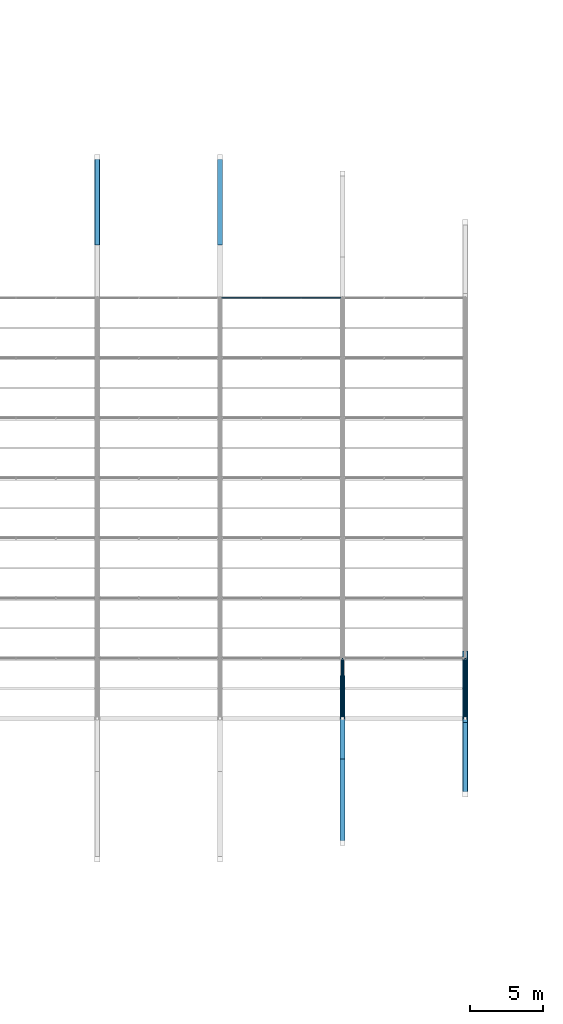
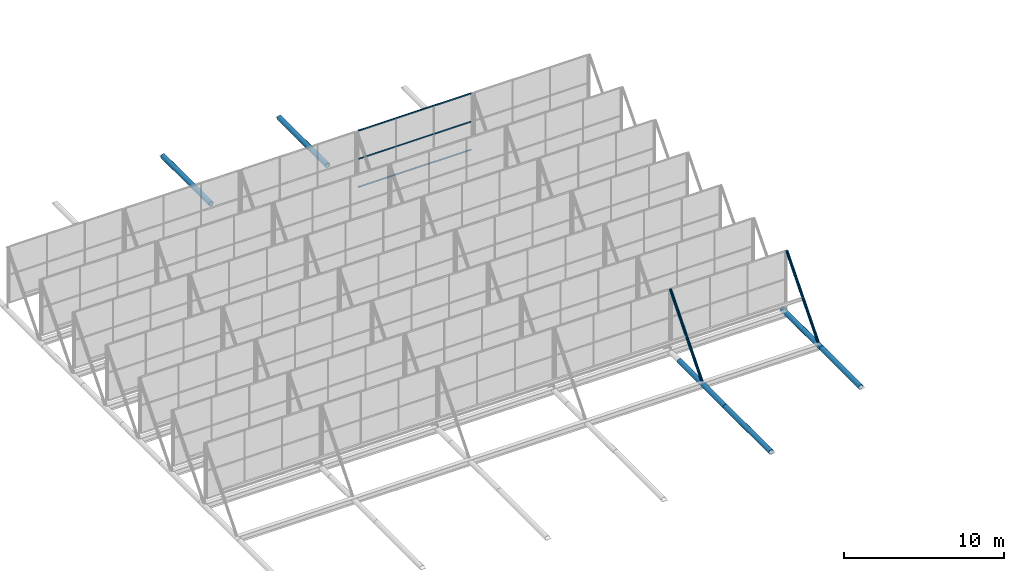
# One storey, part 40 of 77: 11 members, 1 element without a shape of its own.
"""IFC4 building model written with IfcOpenShell, lengths in metres."""

from ifc_helpers import new_model, si_unit, derived_unit, direction, frame, origin, origin_2d, place, context, subcontext, project, spatial, hollow_rectangle, hollow_circle, extrude, material, material_profile, profile_set, type_object, element, aggregate, save


model = new_model("IFC4")

# Units and contexts
model_context = context("Model", 3, precision=1e-05, world=origin(), true_north=direction((0.0, 1.0)))
body_context = subcontext(model_context, "Body", "Model", "MODEL_VIEW")
ifc_project = project(units=[si_unit("LENGTHUNIT", "METRE"), si_unit("AREAUNIT", "SQUARE_METRE"), si_unit("VOLUMEUNIT", "CUBIC_METRE"), si_unit("PLANEANGLEUNIT", "RADIAN"), si_unit("MASSUNIT", "GRAM", prefix="KILO"), derived_unit("THERMALTRANSMITTANCEUNIT", [(si_unit("MASSUNIT", "GRAM", prefix="KILO"), 1), (si_unit("TIMEUNIT", "SECOND"), -3), (si_unit("THERMODYNAMICTEMPERATUREUNIT", "KELVIN"), -1)])], contexts=[model_context])

# Site, building, storey
site_placement = place(None, origin())
site = spatial("IfcSite", under=ifc_project, at=site_placement, CompositionType="ELEMENT")
building_placement = place(site_placement, origin())
building = spatial("IfcBuilding", under=site, at=building_placement, Name="Kharveza Railside Sports Centre", CompositionType="ELEMENT")
storey_placement = place(building_placement, frame((0.0, 0.0, 17.10009765625)))
storey = spatial("IfcBuildingStorey", under=building, at=storey_placement, Name="L04", CompositionType="ELEMENT", Elevation=17.10009765625)

# Curtain wall, members
ifc_material_1 = material(Name="Low-E solar-control laminated glass", Category="glass")
curtain_wall_type = type_object("IfcCurtainWallType", Name="CW-NL01", PredefinedType="NOTDEFINED", material=ifc_material_1)
curtain_wall_placement = place(storey_placement, origin())
curtain_wall = element("IfcCurtainWall", 1, at=curtain_wall_placement, inside=storey, type_object=curtain_wall_type, Name="CW-V1NL-7-4", PredefinedType="NOTDEFINED")
ifc_material_2 = material(Name="Anodised aluminium 6063-T6", Category="aluminium")
ifc_material_profile_1 = material_profile(ifc_material_2, hollow_rectangle(XDim=0.06005859375, YDim=0.10009765625, WallThickness=0.00390625, InnerFilletRadius=0.00390625, OuterFilletRadius=0.008056640625, at=origin_2d()), Name="RHS 60x100x4.0")
ifc_profile_set_1 = profile_set([ifc_material_profile_1], Name="Anodised aluminium 6063-T6")
member_type_1 = type_object("IfcMemberType", Name="CW-TR05", PredefinedType="USERDEFINED", material=ifc_profile_set_1)
member_1_placement = place(storey_placement, frame((58.919921875, 64.800048828125, -0.550048828125), z_axis=(1.0, 0.0, 0.0), x_axis=(0.0, 1.0, 0.0)))
member_1 = element("IfcMember", 2, at=member_1_placement, type_object=member_type_1, Name="CW-V1NL-7-4-TR1", ObjectType="TRANSOM", PredefinedType="USERDEFINED", context=body_context, shape_type="SweptSolid", body=[
    extrude(hollow_rectangle(XDim=0.06005859375, YDim=0.10009765625, WallThickness=0.00390625, InnerFilletRadius=0.00390625, OuterFilletRadius=0.008056640625, at=origin_2d()), origin(), (0.0, 0.0, 1.0), 8.16015625),
])
member_2_placement = place(storey_placement, frame((58.919921875, 64.800048828125, 1.599853515625), z_axis=(1.0, 0.0, 0.0), x_axis=(0.0, 1.0, 0.0)))
member_2 = element("IfcMember", 3, at=member_2_placement, type_object=member_type_1, Name="CW-V1NL-7-4-TR2", ObjectType="TRANSOM", PredefinedType="USERDEFINED", context=body_context, shape_type="SweptSolid", body=[
    extrude(hollow_rectangle(XDim=0.06005859375, YDim=0.10009765625, WallThickness=0.00390625, InnerFilletRadius=0.00390625, OuterFilletRadius=0.008056640625, at=origin_2d()), origin(), (0.0, 0.0, 1.0), 8.16015625),
])
member_3_placement = place(storey_placement, frame((58.919921875, 64.800048828125, 3.75), z_axis=(1.0, 0.0, 0.0), x_axis=(0.0, 1.0, 0.0)))
member_3 = element("IfcMember", 4, at=member_3_placement, type_object=member_type_1, Name="CW-V1NL-7-4-TR3", ObjectType="TRANSOM", PredefinedType="USERDEFINED", context=body_context, shape_type="SweptSolid", body=[
    extrude(hollow_rectangle(XDim=0.06005859375, YDim=0.10009765625, WallThickness=0.00390625, InnerFilletRadius=0.00390625, OuterFilletRadius=0.008056640625, at=origin_2d()), origin(), (0.0, 0.0, 1.0), 8.16015625),
])
aggregate(curtain_wall, [member_1, member_2, member_3])

# Members
ifc_material_3 = material(Name="Steel S355J2", Category="steel")
ifc_material_profile_2 = material_profile(ifc_material_3, hollow_circle(Radius=0.177734375, WallThickness=0.01611328125, at=origin_2d()), Name="CHS 355.6x16.0")
ifc_profile_set_2 = profile_set([ifc_material_profile_2], Name="Steel S355J2")
member_type_2 = type_object("IfcMemberType", Name="MB-CH01", PredefinedType="CHORD", material=ifc_profile_set_2)
for number, where, z_axis, x_axis, name in (
    (5, (50.39990234375, 68.428955078125, -1.050048828125), (0.0, 1.0, 0.0), (-1.0, 0.0, 0.0), "MB-V1TR-TC-3-8"),
    (6, (58.800048828125, 68.428955078125, -1.050048828125), (0.0, 1.0, 0.0), (-1.0, 0.0, 0.0), "MB-V1TR-TC-4-8"),
):
    element("IfcMember", number, at=place(storey_placement, frame(where, z_axis=z_axis, x_axis=x_axis)), inside=storey, type_object=member_type_2, Name=name, PredefinedType="CHORD", context=body_context, shape_type="SweptSolid", body=[
        extrude(hollow_circle(Radius=0.177734375, WallThickness=0.01611328125, at=origin_2d()), origin(), (0.0, 0.0, 1.0), 6.009521484375),
    ])
member_4_placement = place(storey_placement, frame((67.199951171875, 27.484619140625, -1.050048828125), z_axis=(0.0, 1.0, 0.0), x_axis=(-1.0, 0.0, 0.0)))
element("IfcMember", 7, at=member_4_placement, inside=storey, type_object=member_type_2, Name="MB-V1TR-TC-5-1", PredefinedType="CHORD", context=body_context, shape_type="SweptSolid", body=[
    extrude(hollow_circle(Radius=0.177734375, WallThickness=0.01611328125, at=origin_2d()), origin(), (0.0, 0.0, 1.0), 5.728759765625),
])
member_5_placement = place(storey_placement, frame((67.199951171875, 33.21337890625, -1.050048828125), z_axis=(0.0, 1.0, 0.0), x_axis=(-1.0, 0.0, 0.0)))
element("IfcMember", 8, at=member_5_placement, inside=storey, type_object=member_type_2, Name="MB-V1TR-TC-5-2", PredefinedType="CHORD", context=body_context, shape_type="SweptSolid", body=[
    extrude(hollow_circle(Radius=0.177734375, WallThickness=0.01611328125, at=origin_2d()), origin(), (0.0, 0.0, 1.0), 5.72900390625),
])
member_6_placement = place(storey_placement, frame((75.60009765625, 30.8134765625, -1.050048828125), z_axis=(0.0, 1.0, 0.0), x_axis=(-1.0, 0.0, 0.0)))
element("IfcMember", 9, at=member_6_placement, inside=storey, type_object=member_type_2, Name="MB-V1TR-TC-6-1", PredefinedType="CHORD", context=body_context, shape_type="SweptSolid", body=[
    extrude(hollow_circle(Radius=0.177734375, WallThickness=0.01611328125, at=origin_2d()), origin(), (0.0, 0.0, 1.0), 4.896728515625),
])
member_7_placement = place(storey_placement, frame((75.60009765625, 35.710205078125, -1.050048828125), z_axis=(0.0, 1.0, 0.0), x_axis=(-1.0, 0.0, 0.0)))
element("IfcMember", 10, at=member_7_placement, inside=storey, type_object=member_type_2, Name="MB-V1TR-TC-6-2", PredefinedType="CHORD", context=body_context, shape_type="SweptSolid", body=[
    extrude(hollow_circle(Radius=0.177734375, WallThickness=0.01611328125, at=origin_2d()), origin(), (0.0, 0.0, 1.0), 4.896484375),
])
ifc_material_profile_3 = material_profile(ifc_material_3, hollow_circle(Radius=0.096923828125, WallThickness=0.010009765625, at=origin_2d()), Name="CHS 193.7x10.0")
ifc_profile_set_3 = profile_set([ifc_material_profile_3], Name="Steel S355J2")
member_type_3 = type_object("IfcMemberType", Name="MB-ST02", PredefinedType="STRUT", material=ifc_profile_set_3)
for number, where, z_axis, x_axis, name in (
    (11, (67.199951171875, 36.0, -1.050048828125), (0.0, 0.650003261435, 0.759931418039), (-1.0, 0.0, 0.0), "MB-V1SAW-RFT-1-5"),
    (12, (75.60009765625, 36.0, -1.050048828125), (0.0, 0.650003261435, 0.759931418039), (-1.0, 0.0, 0.0), "MB-V1SAW-RFT-1-6"),
):
    element("IfcMember", number, at=place(storey_placement, frame(where, z_axis=z_axis, x_axis=x_axis)), inside=storey, type_object=member_type_3, Name=name, PredefinedType="STRUT", context=body_context, shape_type="SweptSolid", body=[
        extrude(hollow_circle(Radius=0.096923828125, WallThickness=0.010009765625, at=origin_2d()), origin(), (0.0, 0.0, 1.0), 6.32958984375),
    ])

save(model, "model.ifc")
